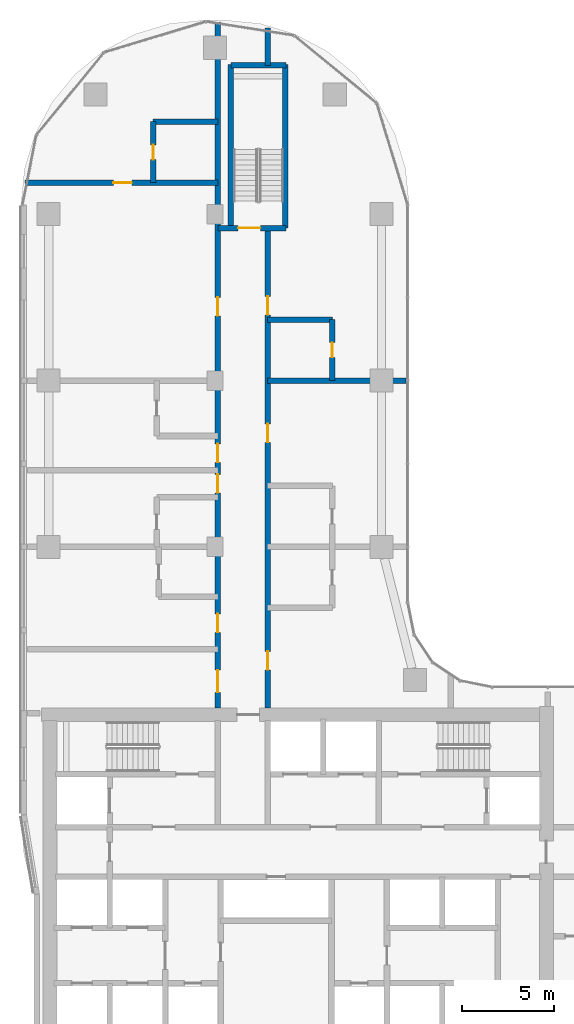
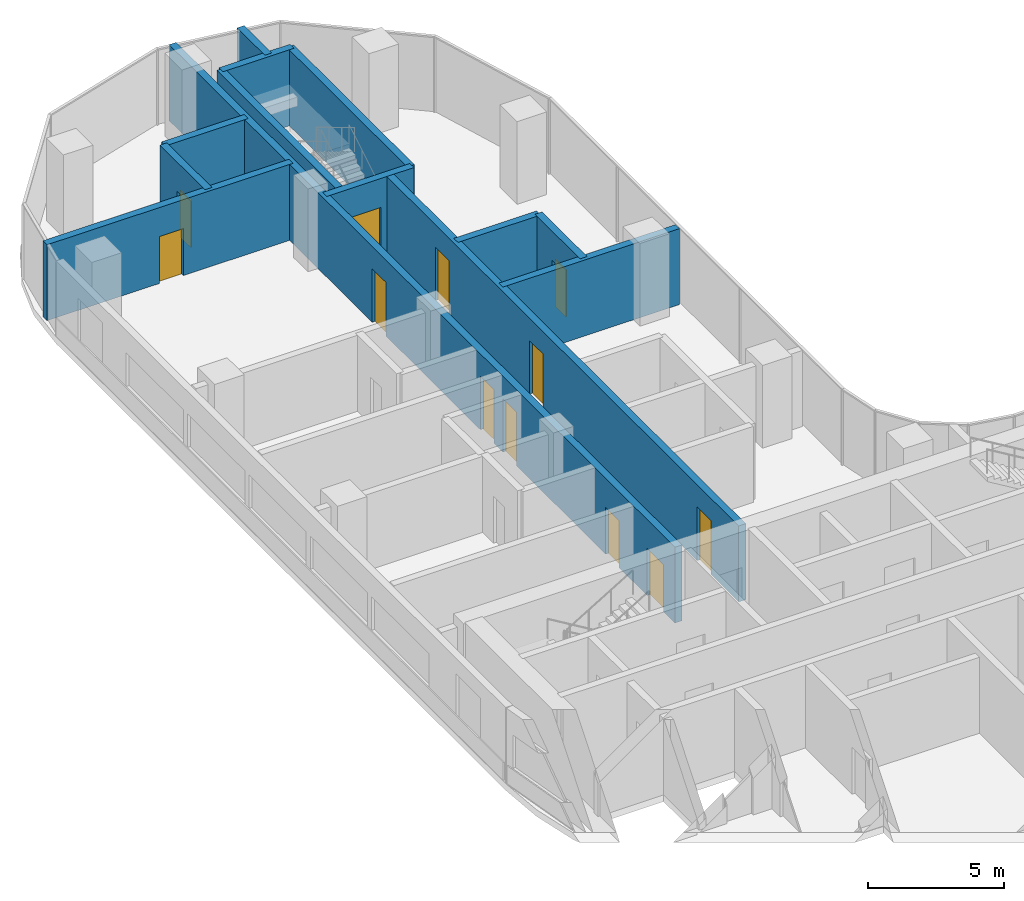
# One storey, part 13 of 22: 13 walls, 12 doors, 12 openings.
"""IFC4 building model written with IfcOpenShell, lengths in metres."""

from ifc_helpers import new_model, si_unit, direction, frame, frame_2d, origin, place, context, subcontext, project, spatial, rectangle, extrude, material, layer, layer_set, type_object, element, fill, save


model = new_model("IFC4")

# Units and contexts
model_context = context("Model", 3, precision=1e-05, world=origin(), true_north=direction((0.0, 1.0)))
body_context = subcontext(model_context, "Body", "Model", "MODEL_VIEW")
ifc_project = project(units=[si_unit("LENGTHUNIT", "METRE"), si_unit("AREAUNIT", "SQUARE_METRE"), si_unit("VOLUMEUNIT", "CUBIC_METRE"), si_unit("PLANEANGLEUNIT", "RADIAN"), si_unit("MASSUNIT", "GRAM", prefix="KILO")], contexts=[model_context])

# Site, building, storey
site_placement = place(None, origin())
site = spatial("IfcSite", under=ifc_project, at=site_placement, CompositionType="ELEMENT")
building_placement = place(site_placement, origin())
building = spatial("IfcBuilding", under=site, at=building_placement, Name="Ogive Portal Towers", CompositionType="ELEMENT")
storey_placement = place(building_placement, frame((0.0, 0.0, 113.0)))
storey = spatial("IfcBuildingStorey", under=building, at=storey_placement, Name="L27", CompositionType="ELEMENT", Elevation=113.0)

# Wall, opening, door
ifc_material_1 = material(Name="Concrete C50/60", Category="concrete")
ifc_layer_1 = layer(ifc_material_1, 0.300048828125)
ifc_layer_set_1 = layer_set([ifc_layer_1], Name="STAIR WALL 300 C50")
wall_type_1 = type_object("IfcWallType", Name="STAIR WALL 300 C50", PredefinedType="SHEAR", material=ifc_layer_set_1)
wall_1_placement = place(storey_placement, frame((40.64990234375, 65.75, 0.0), z_axis=(0.0, 0.0, 1.0), x_axis=(1.0, 0.0, 0.0)))
wall_1 = element("IfcWall", 1, at=wall_1_placement, inside=storey, type_object=wall_type_1, Name="Stair wall ST-A3 L27", PredefinedType="SHEAR", context=body_context, shape_type="SweptSolid", body=[
    extrude(rectangle(XDim=3.7001953125, YDim=0.300048828125, at=frame_2d((1.85009765625, 0.0))), origin(), (0.0, 0.0, 1.0), 3.39990234375),
])
opening_1_placement = place(wall_1_placement, frame((1.10009765625, 0.0, 0.0)))
opening_1 = element("IfcOpeningElement", 2, at=opening_1_placement, cuts=wall_1, Name="Opening D09-062", PredefinedType="OPENING", context=body_context, shape_type="SweptSolid", body=[
    extrude(rectangle(XDim=1.199951171875, YDim=2.10009765625, at=frame_2d((0.60009765625, 1.050048828125))), frame((0.0, 0.16015625, 0.0), z_axis=(0.0, -1.0, 0.0), x_axis=(1.0, 0.0, 0.0)), (0.0, 0.0, 1.0), 0.320068359375),
])
ifc_material_2 = material(Name="Steel fire door", Category="steel")
door_type_1 = type_object("IfcDoorType", Name="DT-STAIR-1200x2100-FD90S", OperationType="SINGLE_SWING_LEFT", PredefinedType="DOOR", material=ifc_material_2)
door_1_placement = place(opening_1_placement, origin())
door_1 = element("IfcDoor", 3, at=door_1_placement, inside=storey, type_object=door_type_1, Name="Door D09-062", OperationType="SINGLE_SWING_RIGHT", OverallHeight=2.10009765625, OverallWidth=1.199951171875, PredefinedType="DOOR", context=body_context, shape_type="SweptSolid", body=[
    extrude(rectangle(XDim=1.199951171875, YDim=2.10009765625, at=frame_2d((0.60009765625, 1.050048828125))), frame((0.0, 0.02490234375, 0.0), z_axis=(0.0, -1.0, 0.0), x_axis=(1.0, 0.0, 0.0)), (0.0, 0.0, 1.0), 0.050048828125),
])
fill(opening_1, door_1)

# Walls
wall_2_placement = place(storey_placement, frame((41.35009765625, 74.550048828125, 0.0), z_axis=(0.0, 0.0, 1.0), x_axis=(1.0, 0.0, 0.0)))
element("IfcWall", 4, at=wall_2_placement, inside=storey, type_object=wall_type_1, Name="Stair wall ST-A3 L27", PredefinedType="SHEAR", context=body_context, shape_type="SweptSolid", body=[
    extrude(rectangle(XDim=3.0, YDim=0.300048828125, at=frame_2d((1.5, 0.0))), origin(), (0.0, 0.0, 1.0), 3.39990234375),
])
for number, where, z_axis, x_axis, name in (
    (5, (41.35009765625, 65.75, 0.0), (0.0, 0.0, 1.0), (0.0, 1.0, 0.0), "Stair wall ST-A3 L27"),
    (6, (44.300048828125, 65.75, 0.0), (0.0, 0.0, 1.0), (0.0, 1.0, 0.0), "Stair wall ST-A3 L27"),
):
    element("IfcWall", number, at=place(storey_placement, frame(where, z_axis=z_axis, x_axis=x_axis)), inside=storey, type_object=wall_type_1, Name=name, PredefinedType="SHEAR", context=body_context, shape_type="SweptSolid", body=[
        extrude(rectangle(XDim=8.85009765625, YDim=0.300048828125, at=frame_2d((4.425048828125, 0.0))), origin(), (0.0, 0.0, 1.0), 3.39990234375),
    ])
ifc_material_3 = material(Name="Gypsum board partition on steel studs", Category="steel")
ifc_layer_2 = layer(ifc_material_3, 0.300048828125)
ifc_layer_set_2 = layer_set([ifc_layer_2], Name="WT-PART-300-EI 60")
wall_type_2 = type_object("IfcWallType", Name="WT-PART-300-EI 60", PredefinedType="PARTITIONING", material=ifc_layer_set_2)
wall_3_placement = place(storey_placement, frame((43.35009765625, 57.5, 0.0), z_axis=(0.0, 0.0, 1.0), x_axis=(1.0, 0.0, 0.0)))
element("IfcWall", 7, at=wall_3_placement, inside=storey, type_object=wall_type_2, Name="Wall L27:w026", PredefinedType="PARTITIONING", context=body_context, shape_type="SweptSolid", body=[
    extrude(rectangle(XDim=7.47998046875, YDim=0.300048828125, at=frame_2d((3.739990234375, 0.0))), origin(), (0.0, 0.0, 1.0), 3.39990234375),
])
wall_4_placement = place(storey_placement, frame((43.35009765625, 60.800048828125, 0.0), z_axis=(0.0, 0.0, 1.0), x_axis=(1.0, 0.0, 0.0)))
element("IfcWall", 8, at=wall_4_placement, inside=storey, type_object=wall_type_2, Name="Wall L27:w027", PredefinedType="PARTITIONING", context=body_context, shape_type="SweptSolid", body=[
    extrude(rectangle(XDim=3.5, YDim=0.300048828125, at=frame_2d((1.75, 0.0))), origin(), (0.0, 0.0, 1.0), 3.39990234375),
])

# Wall, opening, door
wall_5_placement = place(storey_placement, frame((30.22900390625, 68.199951171875, 0.0), z_axis=(0.0, 0.0, 1.0), x_axis=(1.0, 0.0, 0.0)))
wall_5 = element("IfcWall", 9, at=wall_5_placement, inside=storey, type_object=wall_type_2, Name="Wall L27:w029", PredefinedType="PARTITIONING", context=body_context, shape_type="SweptSolid", body=[
    extrude(rectangle(XDim=10.4208984375, YDim=0.300048828125, at=frame_2d((5.21044921875, 0.0))), origin(), (0.0, 0.0, 1.0), 3.39990234375),
])
opening_2_placement = place(wall_5_placement, frame((4.77099609375, 0.0, 0.0)))
opening_2 = element("IfcOpeningElement", 10, at=opening_2_placement, cuts=wall_5, Name="Opening D09-056", PredefinedType="OPENING", context=body_context, shape_type="SweptSolid", body=[
    extrude(rectangle(XDim=1.0, YDim=2.10009765625, at=frame_2d((0.5, 1.050048828125))), frame((0.0, 0.16015625, 0.0), z_axis=(0.0, -1.0, 0.0), x_axis=(1.0, 0.0, 0.0)), (0.0, 0.0, 1.0), 0.320068359375),
])
door_type_2 = type_object("IfcDoorType", Name="DT-ENTRY-1000x2100-FD60S", OperationType="SINGLE_SWING_LEFT", PredefinedType="DOOR", material=ifc_material_2)
door_2_placement = place(opening_2_placement, origin())
door_2 = element("IfcDoor", 11, at=door_2_placement, inside=storey, type_object=door_type_2, Name="Door D09-056", OperationType="SINGLE_SWING_RIGHT", OverallHeight=2.10009765625, OverallWidth=1.0, PredefinedType="DOOR", context=body_context, shape_type="SweptSolid", body=[
    extrude(rectangle(XDim=1.0, YDim=2.10009765625, at=frame_2d((0.5, 1.050048828125))), frame((0.0, 0.02490234375, 0.0), z_axis=(0.0, -1.0, 0.0), x_axis=(1.0, 0.0, 0.0)), (0.0, 0.0, 1.0), 0.050048828125),
])
fill(opening_2, door_2)

# Wall
wall_6_placement = place(storey_placement, frame((37.14990234375, 71.5, 0.0), z_axis=(0.0, 0.0, 1.0), x_axis=(1.0, 0.0, 0.0)))
element("IfcWall", 12, at=wall_6_placement, inside=storey, type_object=wall_type_2, Name="Wall L27:w030", PredefinedType="PARTITIONING", context=body_context, shape_type="SweptSolid", body=[
    extrude(rectangle(XDim=3.5, YDim=0.300048828125, at=frame_2d((1.75, 0.0))), origin(), (0.0, 0.0, 1.0), 3.39990234375),
])

# Wall, opening, door
wall_7_placement = place(storey_placement, frame((37.14990234375, 68.199951171875, 0.0), z_axis=(0.0, 0.0, 1.0), x_axis=(0.0, 1.0, 0.0)))
wall_7 = element("IfcWall", 13, at=wall_7_placement, inside=storey, type_object=wall_type_2, Name="Wall L27:w032", PredefinedType="PARTITIONING", context=body_context, shape_type="SweptSolid", body=[
    extrude(rectangle(XDim=3.300048828125, YDim=0.300048828125, at=frame_2d((1.64990234375, 0.0))), origin(), (0.0, 0.0, 1.0), 3.39990234375),
])
opening_3_placement = place(wall_7_placement, frame((1.25, 0.0, 0.0)))
opening_3 = element("IfcOpeningElement", 14, at=opening_3_placement, cuts=wall_7, Name="Opening D09-057", PredefinedType="OPENING", context=body_context, shape_type="SweptSolid", body=[
    extrude(rectangle(XDim=0.800048828125, YDim=2.10009765625, at=frame_2d((0.39990234375, 1.050048828125))), frame((0.0, 0.16015625, 0.0), z_axis=(0.0, -1.0, 0.0), x_axis=(1.0, 0.0, 0.0)), (0.0, 0.0, 1.0), 0.320068359375),
])
door_type_3 = type_object("IfcDoorType", Name="DT-BATH-800x2100-FD60S", OperationType="SINGLE_SWING_LEFT", PredefinedType="DOOR", material=ifc_material_2)
door_3_placement = place(opening_3_placement, origin())
door_3 = element("IfcDoor", 15, at=door_3_placement, inside=storey, type_object=door_type_3, Name="Door D09-057", OperationType="SINGLE_SWING_LEFT", OverallHeight=2.10009765625, OverallWidth=0.800048828125, PredefinedType="DOOR", context=body_context, shape_type="SweptSolid", body=[
    extrude(rectangle(XDim=0.800048828125, YDim=2.10009765625, at=frame_2d((0.39990234375, 1.050048828125))), frame((0.0, 0.02490234375, 0.0), z_axis=(0.0, -1.0, 0.0), x_axis=(1.0, 0.0, 0.0)), (0.0, 0.0, 1.0), 0.050048828125),
])
fill(opening_3, door_3)

# Wall, openings, doors
wall_8_placement = place(storey_placement, frame((40.64990234375, 39.800048828125, 0.0), z_axis=(0.0, 0.0, 1.0), x_axis=(0.0, 1.0, 0.0)))
wall_8 = element("IfcWall", 16, at=wall_8_placement, inside=storey, type_object=wall_type_2, Name="Wall L27:w036", PredefinedType="PARTITIONING", context=body_context, shape_type="SweptSolid", body=[
    extrude(rectangle(XDim=37.08984375, YDim=0.300048828125, at=frame_2d((18.544921875, 0.0))), origin(), (0.0, 0.0, 1.0), 3.39990234375),
])
opening_4_placement = place(wall_8_placement, frame((0.8349609375, 0.0, 0.0)))
opening_4 = element("IfcOpeningElement", 17, at=opening_4_placement, cuts=wall_8, Name="Opening D09-044", PredefinedType="OPENING", context=body_context, shape_type="SweptSolid", body=[
    extrude(rectangle(XDim=1.199951171875, YDim=2.10009765625, at=frame_2d((0.60009765625, 1.050048828125))), frame((0.0, 0.16015625, 0.0), z_axis=(0.0, -1.0, 0.0), x_axis=(1.0, 0.0, 0.0)), (0.0, 0.0, 1.0), 0.320068359375),
])
opening_5_placement = place(wall_8_placement, frame((4.0849609375, 0.0, 0.0)))
opening_5 = element("IfcOpeningElement", 18, at=opening_5_placement, cuts=wall_8, Name="Opening D09-046", PredefinedType="OPENING", context=body_context, shape_type="SweptSolid", body=[
    extrude(rectangle(XDim=1.0, YDim=2.10009765625, at=frame_2d((0.5, 1.050048828125))), frame((0.0, 0.16015625, 0.0), z_axis=(0.0, -1.0, 0.0), x_axis=(1.0, 0.0, 0.0)), (0.0, 0.0, 1.0), 0.320068359375),
])
opening_6_placement = place(wall_8_placement, frame((11.6201171875, 0.0, 0.0)))
opening_6 = element("IfcOpeningElement", 19, at=opening_6_placement, cuts=wall_8, Name="Opening D09-050", PredefinedType="OPENING", context=body_context, shape_type="SweptSolid", body=[
    extrude(rectangle(XDim=1.0, YDim=2.39990234375, at=frame_2d((0.5, 1.199951171875))), frame((0.0, 0.16015625, 0.0), z_axis=(0.0, -1.0, 0.0), x_axis=(1.0, 0.0, 0.0)), (0.0, 0.0, 1.0), 0.320068359375),
])
opening_7_placement = place(wall_8_placement, frame((13.27001953125, 0.0, 0.0)))
opening_7 = element("IfcOpeningElement", 20, at=opening_7_placement, cuts=wall_8, Name="Opening D09-052", PredefinedType="OPENING", context=body_context, shape_type="SweptSolid", body=[
    extrude(rectangle(XDim=1.0, YDim=2.39990234375, at=frame_2d((0.5, 1.199951171875))), frame((0.0, 0.16015625, 0.0), z_axis=(0.0, -1.0, 0.0), x_axis=(1.0, 0.0, 0.0)), (0.0, 0.0, 1.0), 0.320068359375),
])
opening_8_placement = place(wall_8_placement, frame((21.199951171875, 0.0, 0.0)))
opening_8 = element("IfcOpeningElement", 21, at=opening_8_placement, cuts=wall_8, Name="Opening D09-055", PredefinedType="OPENING", context=body_context, shape_type="SweptSolid", body=[
    extrude(rectangle(XDim=1.0, YDim=2.39990234375, at=frame_2d((0.5, 1.199951171875))), frame((0.0, 0.16015625, 0.0), z_axis=(0.0, -1.0, 0.0), x_axis=(1.0, 0.0, 0.0)), (0.0, 0.0, 1.0), 0.320068359375),
])
door_4_placement = place(opening_5_placement, origin())
door_4 = element("IfcDoor", 22, at=door_4_placement, inside=storey, type_object=door_type_2, Name="Door D09-046", OperationType="SINGLE_SWING_LEFT", OverallHeight=2.10009765625, OverallWidth=1.0, PredefinedType="DOOR", context=body_context, shape_type="SweptSolid", body=[
    extrude(rectangle(XDim=1.0, YDim=2.10009765625, at=frame_2d((0.5, 1.050048828125))), frame((0.0, 0.02490234375, 0.0), z_axis=(0.0, -1.0, 0.0), x_axis=(1.0, 0.0, 0.0)), (0.0, 0.0, 1.0), 0.050048828125),
])
fill(opening_5, door_4)
door_type_4 = type_object("IfcDoorType", Name="DT-ENTRY-1000x2400-FD60S", OperationType="SINGLE_SWING_LEFT", PredefinedType="DOOR", material=ifc_material_2)
door_5_placement = place(opening_6_placement, origin())
door_5 = element("IfcDoor", 23, at=door_5_placement, inside=storey, type_object=door_type_4, Name="Door D09-050", OperationType="SINGLE_SWING_LEFT", OverallHeight=2.39990234375, OverallWidth=1.0, PredefinedType="DOOR", context=body_context, shape_type="SweptSolid", body=[
    extrude(rectangle(XDim=1.0, YDim=2.39990234375, at=frame_2d((0.5, 1.199951171875))), frame((0.0, 0.02490234375, 0.0), z_axis=(0.0, -1.0, 0.0), x_axis=(1.0, 0.0, 0.0)), (0.0, 0.0, 1.0), 0.050048828125),
])
fill(opening_6, door_5)
door_6_placement = place(opening_7_placement, origin())
door_6 = element("IfcDoor", 24, at=door_6_placement, inside=storey, type_object=door_type_4, Name="Door D09-052", OperationType="SINGLE_SWING_LEFT", OverallHeight=2.39990234375, OverallWidth=1.0, PredefinedType="DOOR", context=body_context, shape_type="SweptSolid", body=[
    extrude(rectangle(XDim=1.0, YDim=2.39990234375, at=frame_2d((0.5, 1.199951171875))), frame((0.0, 0.02490234375, 0.0), z_axis=(0.0, -1.0, 0.0), x_axis=(1.0, 0.0, 0.0)), (0.0, 0.0, 1.0), 0.050048828125),
])
fill(opening_7, door_6)
door_7_placement = place(opening_8_placement, origin())
door_7 = element("IfcDoor", 25, at=door_7_placement, inside=storey, type_object=door_type_4, Name="Door D09-055", OperationType="SINGLE_SWING_LEFT", OverallHeight=2.39990234375, OverallWidth=1.0, PredefinedType="DOOR", context=body_context, shape_type="SweptSolid", body=[
    extrude(rectangle(XDim=1.0, YDim=2.39990234375, at=frame_2d((0.5, 1.199951171875))), frame((0.0, 0.02490234375, 0.0), z_axis=(0.0, -1.0, 0.0), x_axis=(1.0, 0.0, 0.0)), (0.0, 0.0, 1.0), 0.050048828125),
])
fill(opening_8, door_7)
door_type_5 = type_object("IfcDoorType", Name="DT-ENTRY-1200x2100-FD60S", OperationType="SINGLE_SWING_LEFT", PredefinedType="DOOR", material=ifc_material_2)
door_8_placement = place(opening_4_placement, origin())
door_8 = element("IfcDoor", 26, at=door_8_placement, inside=storey, type_object=door_type_5, Name="Door D09-044", OperationType="SINGLE_SWING_RIGHT", OverallHeight=2.10009765625, OverallWidth=1.199951171875, PredefinedType="DOOR", context=body_context, shape_type="SweptSolid", body=[
    extrude(rectangle(XDim=1.199951171875, YDim=2.10009765625, at=frame_2d((0.60009765625, 1.050048828125))), frame((0.0, 0.02490234375, 0.0), z_axis=(0.0, -1.0, 0.0), x_axis=(1.0, 0.0, 0.0)), (0.0, 0.0, 1.0), 0.050048828125),
])
fill(opening_4, door_8)

# Wall, opening, door
wall_9_placement = place(storey_placement, frame((46.85009765625, 57.5, 0.0), z_axis=(0.0, 0.0, 1.0), x_axis=(0.0, 1.0, 0.0)))
wall_9 = element("IfcWall", 27, at=wall_9_placement, inside=storey, type_object=wall_type_2, Name="Wall L27:w042", PredefinedType="PARTITIONING", context=body_context, shape_type="SweptSolid", body=[
    extrude(rectangle(XDim=3.300048828125, YDim=0.300048828125, at=frame_2d((1.64990234375, 0.0))), origin(), (0.0, 0.0, 1.0), 3.39990234375),
])
opening_9_placement = place(wall_9_placement, frame((1.25, 0.0, 0.0)))
opening_9 = element("IfcOpeningElement", 28, at=opening_9_placement, cuts=wall_9, Name="Opening D09-053", PredefinedType="OPENING", context=body_context, shape_type="SweptSolid", body=[
    extrude(rectangle(XDim=0.800048828125, YDim=2.10009765625, at=frame_2d((0.39990234375, 1.050048828125))), frame((0.0, 0.16015625, 0.0), z_axis=(0.0, -1.0, 0.0), x_axis=(1.0, 0.0, 0.0)), (0.0, 0.0, 1.0), 0.320068359375),
])
door_9_placement = place(opening_9_placement, origin())
door_9 = element("IfcDoor", 29, at=door_9_placement, inside=storey, type_object=door_type_3, Name="Door D09-053", OperationType="SINGLE_SWING_LEFT", OverallHeight=2.10009765625, OverallWidth=0.800048828125, PredefinedType="DOOR", context=body_context, shape_type="SweptSolid", body=[
    extrude(rectangle(XDim=0.800048828125, YDim=2.10009765625, at=frame_2d((0.39990234375, 1.050048828125))), frame((0.0, 0.02490234375, 0.0), z_axis=(0.0, -1.0, 0.0), x_axis=(1.0, 0.0, 0.0)), (0.0, 0.0, 1.0), 0.050048828125),
])
fill(opening_9, door_9)

# Wall, openings, doors
ifc_material_4 = material(Name="Concrete C40/50", Category="concrete")
ifc_layer_3 = layer(ifc_material_4, 0.300048828125)
ifc_layer_set_3 = layer_set([ifc_layer_3], Name="WT-SHAFT-300")
wall_type_3 = type_object("IfcWallType", Name="WT-SHAFT-300", PredefinedType="SOLIDWALL", material=ifc_layer_set_3)
wall_10_placement = place(storey_placement, frame((43.35009765625, 39.800048828125, 0.0), z_axis=(0.0, 0.0, 1.0), x_axis=(0.0, 1.0, 0.0)))
wall_10 = element("IfcWall", 30, at=wall_10_placement, inside=storey, type_object=wall_type_3, Name="Wall L27:w038", PredefinedType="SOLIDWALL", context=body_context, shape_type="SweptSolid", body=[
    extrude(rectangle(XDim=26.0, YDim=0.300048828125, at=frame_2d((13.0, 0.0))), origin(), (0.0, 0.0, 1.0), 3.39990234375),
])
opening_10_placement = place(wall_10_placement, frame((2.050048828125, 0.0, 0.0)))
opening_10 = element("IfcOpeningElement", 31, at=opening_10_placement, cuts=wall_10, Name="Opening D09-043", PredefinedType="OPENING", context=body_context, shape_type="SweptSolid", body=[
    extrude(rectangle(XDim=1.0, YDim=2.39990234375, at=frame_2d((0.5, 1.199951171875))), frame((0.0, 0.16015625, 0.0), z_axis=(0.0, -1.0, 0.0), x_axis=(1.0, 0.0, 0.0)), (0.0, 0.0, 1.0), 0.320068359375),
])
opening_11_placement = place(wall_10_placement, frame((14.35009765625, 0.0, 0.0)))
opening_11 = element("IfcOpeningElement", 32, at=opening_11_placement, cuts=wall_10, Name="Opening D09-048", PredefinedType="OPENING", context=body_context, shape_type="SweptSolid", body=[
    extrude(rectangle(XDim=1.0, YDim=2.39990234375, at=frame_2d((0.5, 1.199951171875))), frame((0.0, 0.16015625, 0.0), z_axis=(0.0, -1.0, 0.0), x_axis=(1.0, 0.0, 0.0)), (0.0, 0.0, 1.0), 0.320068359375),
])
opening_12_placement = place(wall_10_placement, frame((21.25, 0.0, 0.0)))
opening_12 = element("IfcOpeningElement", 33, at=opening_12_placement, cuts=wall_10, Name="Opening D09-054", PredefinedType="OPENING", context=body_context, shape_type="SweptSolid", body=[
    extrude(rectangle(XDim=1.0, YDim=2.39990234375, at=frame_2d((0.5, 1.199951171875))), frame((0.0, 0.16015625, 0.0), z_axis=(0.0, -1.0, 0.0), x_axis=(1.0, 0.0, 0.0)), (0.0, 0.0, 1.0), 0.320068359375),
])
door_type_6 = type_object("IfcDoorType", Name="DT-ENTRY-1000x2400-FD90S", OperationType="SINGLE_SWING_LEFT", PredefinedType="DOOR", material=ifc_material_2)
door_10_placement = place(opening_10_placement, origin())
door_10 = element("IfcDoor", 34, at=door_10_placement, inside=storey, type_object=door_type_6, Name="Door D09-043", OperationType="SINGLE_SWING_LEFT", OverallHeight=2.39990234375, OverallWidth=1.0, PredefinedType="DOOR", context=body_context, shape_type="SweptSolid", body=[
    extrude(rectangle(XDim=1.0, YDim=2.39990234375, at=frame_2d((0.5, 1.199951171875))), frame((0.0, 0.02490234375, 0.0), z_axis=(0.0, -1.0, 0.0), x_axis=(1.0, 0.0, 0.0)), (0.0, 0.0, 1.0), 0.050048828125),
])
fill(opening_10, door_10)
door_11_placement = place(opening_11_placement, origin())
door_11 = element("IfcDoor", 35, at=door_11_placement, inside=storey, type_object=door_type_6, Name="Door D09-048", OperationType="SINGLE_SWING_RIGHT", OverallHeight=2.39990234375, OverallWidth=1.0, PredefinedType="DOOR", context=body_context, shape_type="SweptSolid", body=[
    extrude(rectangle(XDim=1.0, YDim=2.39990234375, at=frame_2d((0.5, 1.199951171875))), frame((0.0, 0.02490234375, 0.0), z_axis=(0.0, -1.0, 0.0), x_axis=(1.0, 0.0, 0.0)), (0.0, 0.0, 1.0), 0.050048828125),
])
fill(opening_11, door_11)
door_12_placement = place(opening_12_placement, origin())
door_12 = element("IfcDoor", 36, at=door_12_placement, inside=storey, type_object=door_type_6, Name="Door D09-054", OperationType="SINGLE_SWING_RIGHT", OverallHeight=2.39990234375, OverallWidth=1.0, PredefinedType="DOOR", context=body_context, shape_type="SweptSolid", body=[
    extrude(rectangle(XDim=1.0, YDim=2.39990234375, at=frame_2d((0.5, 1.199951171875))), frame((0.0, 0.02490234375, 0.0), z_axis=(0.0, -1.0, 0.0), x_axis=(1.0, 0.0, 0.0)), (0.0, 0.0, 1.0), 0.050048828125),
])
fill(opening_12, door_12)

# Wall
wall_11_placement = place(storey_placement, frame((43.35009765625, 74.550048828125, 0.0), z_axis=(0.0, 0.0, 1.0), x_axis=(0.0, 1.0, 0.0)))
element("IfcWall", 37, at=wall_11_placement, inside=storey, type_object=wall_type_3, Name="Wall L27:w039", PredefinedType="SOLIDWALL", context=body_context, shape_type="SweptSolid", body=[
    extrude(rectangle(XDim=2.02197265625, YDim=0.300048828125, at=frame_2d((1.010986328125, 0.0))), origin(), (0.0, 0.0, 1.0), 3.39990234375),
])

save(model, "model.ifc")
